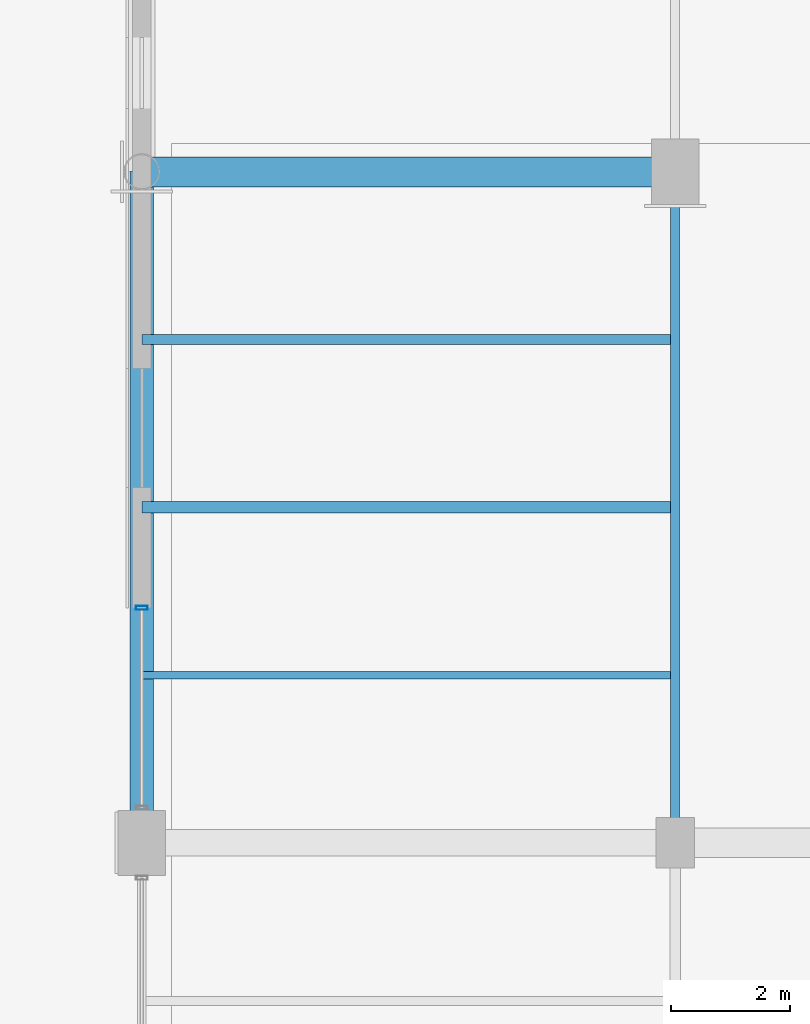
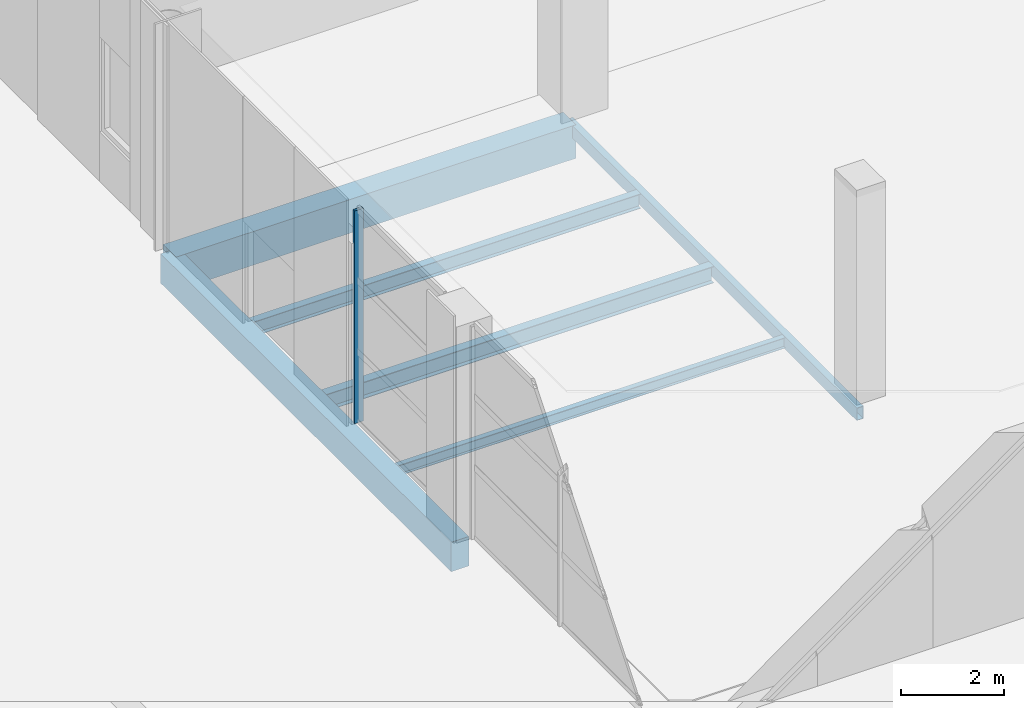
# One storey, part 37 of 90: 6 beams, 1 member, 1 element without a shape of its own.
"""IFC4 building model written with IfcOpenShell, lengths in metres."""

from ifc_helpers import new_model, si_unit, direction, frame, origin, origin_2d, place, context, subcontext, project, spatial, rectangle, hollow_rectangle, i_section, extrude, material, material_profile, profile_set, type_object, element, aggregate, save


model = new_model("IFC4")

# Units and contexts
model_context = context("Model", 3, precision=1e-05, world=origin(), true_north=direction((0.0, 1.0)))
body_context = subcontext(model_context, "Body", "Model", "MODEL_VIEW")
ifc_project = project(units=[si_unit("LENGTHUNIT", "METRE"), si_unit("AREAUNIT", "SQUARE_METRE"), si_unit("VOLUMEUNIT", "CUBIC_METRE"), si_unit("PLANEANGLEUNIT", "RADIAN"), si_unit("MASSUNIT", "GRAM", prefix="KILO")], contexts=[model_context])

# Site, building, storey
site_placement = place(None, origin())
site = spatial("IfcSite", under=ifc_project, at=site_placement, CompositionType="ELEMENT")
building_placement = place(site_placement, origin())
building = spatial("IfcBuilding", under=site, at=building_placement, Name="Solvikara Media Centre", CompositionType="ELEMENT")
storey_placement = place(building_placement, origin())
storey = spatial("IfcBuildingStorey", under=building, at=storey_placement, Name="L00", CompositionType="ELEMENT", Elevation=0.0)

# Beams
ifc_material_1 = material(Name="Concrete fc' 35 MPa (C35/45)", Category="concrete")
ifc_material_profile_1 = material_profile(ifc_material_1, rectangle(XDim=0.5, YDim=0.800048828125, at=origin_2d()), Name="RC 500x800")
ifc_profile_set_1 = profile_set([ifc_material_profile_1], Name="Concrete fc' 35 MPa (C35/45)")
beam_type_1 = type_object("IfcBeamType", Name="BM-07", PredefinedType="BEAM", material=ifc_profile_set_1)
beam_1_placement = place(storey_placement, frame((127.5, 19.320068359375, -0.780029296875), z_axis=(1.0, 0.0, 0.0), x_axis=(0.0, 1.0, 0.0)))
element("IfcBeam", 1, at=beam_1_placement, inside=storey, type_object=beam_type_1, Name="B-L00-X0031", PredefinedType="BEAM", context=body_context, shape_type="SweptSolid", body=[
    extrude(rectangle(XDim=0.5, YDim=0.800048828125, at=origin_2d()), origin(), (0.0, 0.0, 1.0), 9.0),
])
ifc_material_profile_2 = material_profile(ifc_material_1, rectangle(XDim=0.39990234375, YDim=0.699951171875, at=origin_2d()), Name="RC 400x700")
ifc_profile_set_2 = profile_set([ifc_material_profile_2], Name="Concrete fc' 35 MPa (C35/45)")
beam_type_2 = type_object("IfcBeamType", Name="BM-13", PredefinedType="SPANDREL", material=ifc_profile_set_2)
beam_2_placement = place(storey_placement, frame((127.5, 8.0, -0.72998046875), z_axis=(0.0, 1.0, 0.0), x_axis=(-1.0, 0.0, 0.0)))
element("IfcBeam", 2, at=beam_2_placement, inside=storey, type_object=beam_type_2, Name="B-L00-Y0193", PredefinedType="SPANDREL", context=body_context, shape_type="SweptSolid", body=[
    extrude(rectangle(XDim=0.39990234375, YDim=0.699951171875, at=origin_2d()), origin(), (0.0, 0.0, 1.0), 11.323974609375),
])
ifc_material_2 = material(Name="Steel S355JR", Category="steel")
ifc_material_profile_3 = material_profile(ifc_material_2, i_section(OverallWidth=0.125, OverallDepth=0.25, WebThickness=0.006103515625, FlangeThickness=0.009033203125, at=origin_2d()), Name="WF 250x125x6x9")
ifc_profile_set_3 = profile_set([ifc_material_profile_3], Name="Steel S355JR")
beam_type_3 = type_object("IfcBeamType", Name="BM-24", PredefinedType="JOIST", material=ifc_profile_set_3)
beam_3_placement = place(storey_placement, frame((127.5, 10.8310546875, -0.507080078125), z_axis=(1.0, 0.0, 0.0), x_axis=(0.0, 1.0, 0.0)))
element("IfcBeam", 3, at=beam_3_placement, inside=storey, type_object=beam_type_3, Name="J-L00-0380", PredefinedType="JOIST", context=body_context, shape_type="SweptSolid", body=[
    extrude(i_section(OverallWidth=0.125, OverallDepth=0.25, WebThickness=0.006103515625, FlangeThickness=0.009033203125, at=origin_2d()), origin(), (0.0, 0.0, 1.0), 8.922119140625),
])
ifc_material_profile_4 = material_profile(ifc_material_2, hollow_rectangle(XDim=0.14990234375, YDim=0.300048828125, WallThickness=0.010009765625, at=origin_2d()), Name="RHS 300x150x10")
ifc_profile_set_4 = profile_set([ifc_material_profile_4], Name="Steel S355JR")
beam_type_4 = type_object("IfcBeamType", Name="BM-35", PredefinedType="BEAM", material=ifc_profile_set_4)
beam_4_placement = place(storey_placement, frame((136.5, 8.0, -0.531982421875), z_axis=(0.0, 1.0, 0.0), x_axis=(-1.0, 0.0, 0.0)))
element("IfcBeam", 4, at=beam_4_placement, inside=storey, type_object=beam_type_4, Name="B-L00-Y0203", PredefinedType="BEAM", context=body_context, shape_type="SweptSolid", body=[
    extrude(hollow_rectangle(XDim=0.14990234375, YDim=0.300048828125, WallThickness=0.010009765625, at=origin_2d()), origin(), (0.0, 0.0, 1.0), 11.323974609375),
])
ifc_material_profile_5 = material_profile(ifc_material_2, i_section(OverallWidth=0.198974609375, OverallDepth=0.39599609375, WebThickness=0.007080078125, FlangeThickness=0.010986328125, at=origin_2d()), Name="WF 396x199x7x11")
ifc_profile_set_5 = profile_set([ifc_material_profile_5], Name="Steel S355JR")
beam_type_5 = type_object("IfcBeamType", Name="BM-37", PredefinedType="JOIST", material=ifc_profile_set_5)
beam_5_placement = place(storey_placement, frame((127.5, 13.662109375, -0.580078125), z_axis=(1.0, 0.0, 0.0), x_axis=(0.0, 1.0, 0.0)))
element("IfcBeam", 5, at=beam_5_placement, inside=storey, type_object=beam_type_5, Name="J-L00-0381", PredefinedType="JOIST", context=body_context, shape_type="SweptSolid", body=[
    extrude(i_section(OverallWidth=0.198974609375, OverallDepth=0.39599609375, WebThickness=0.007080078125, FlangeThickness=0.010986328125, at=origin_2d()), origin(), (0.0, 0.0, 1.0), 8.922119140625),
])
ifc_material_profile_6 = material_profile(ifc_material_2, i_section(OverallWidth=0.174072265625, OverallDepth=0.345947265625, WebThickness=0.006103515625, FlangeThickness=0.009033203125, at=origin_2d()), Name="WF 346x174x6x9")
ifc_profile_set_6 = profile_set([ifc_material_profile_6], Name="Steel S355JR")
beam_type_6 = type_object("IfcBeamType", Name="BM-38", PredefinedType="JOIST", material=ifc_profile_set_6)
beam_6_placement = place(storey_placement, frame((127.5, 16.492919921875, -0.554931640625), z_axis=(1.0, 0.0, 0.0), x_axis=(0.0, 1.0, 0.0)))
element("IfcBeam", 6, at=beam_6_placement, inside=storey, type_object=beam_type_6, Name="J-L00-0382", PredefinedType="JOIST", context=body_context, shape_type="SweptSolid", body=[
    extrude(i_section(OverallWidth=0.174072265625, OverallDepth=0.345947265625, WebThickness=0.006103515625, FlangeThickness=0.009033203125, at=origin_2d()), origin(), (0.0, 0.0, 1.0), 8.922119140625),
])

# Curtain wall, member
ifc_material_3 = material(Name="Anodised aluminium EN AW-6063", Category="aluminium")
curtain_wall_type = type_object("IfcCurtainWallType", Name="CW-11", PredefinedType="NOTDEFINED", material=ifc_material_3)
curtain_wall_placement = place(storey_placement, origin())
curtain_wall = element("IfcCurtainWall", 7, at=curtain_wall_placement, inside=storey, type_object=curtain_wall_type, Name="CW-L00-V5-WS-S2", PredefinedType="NOTDEFINED")
ifc_material_profile_7 = material_profile(ifc_material_3, hollow_rectangle(XDim=0.06494140625, YDim=0.199951171875, WallThickness=0.00390625, at=origin_2d()), Name="ALU-M 65x200x4")
ifc_profile_set_7 = profile_set([ifc_material_profile_7], Name="Anodised aluminium EN AW-6063")
member_type = type_object("IfcMemberType", Name="MF-02", PredefinedType="MULLION", material=ifc_profile_set_7)
member_placement = place(storey_placement, frame((127.5, 11.965087890625, 0.02001953125), z_axis=(0.0, 0.0, 1.0), x_axis=(0.0, 1.0, 0.0)))
member = element("IfcMember", 8, at=member_placement, type_object=member_type, Name="CW-L00-V5-WS-S2-M01", PredefinedType="MULLION", context=body_context, shape_type="SweptSolid", body=[
    extrude(hollow_rectangle(XDim=0.06494140625, YDim=0.199951171875, WallThickness=0.00390625, at=origin_2d()), origin(), (0.0, 0.0, 1.0), 5.06005859375),
])
aggregate(curtain_wall, [member])

save(model, "model.ifc")
